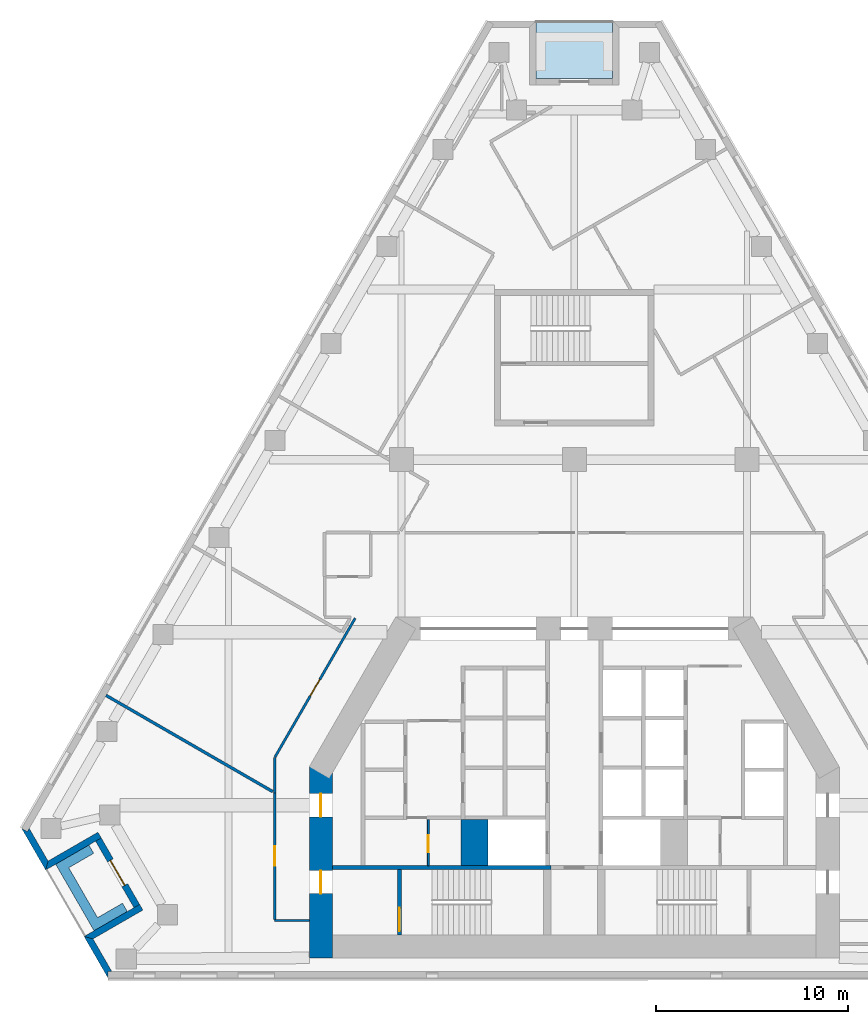
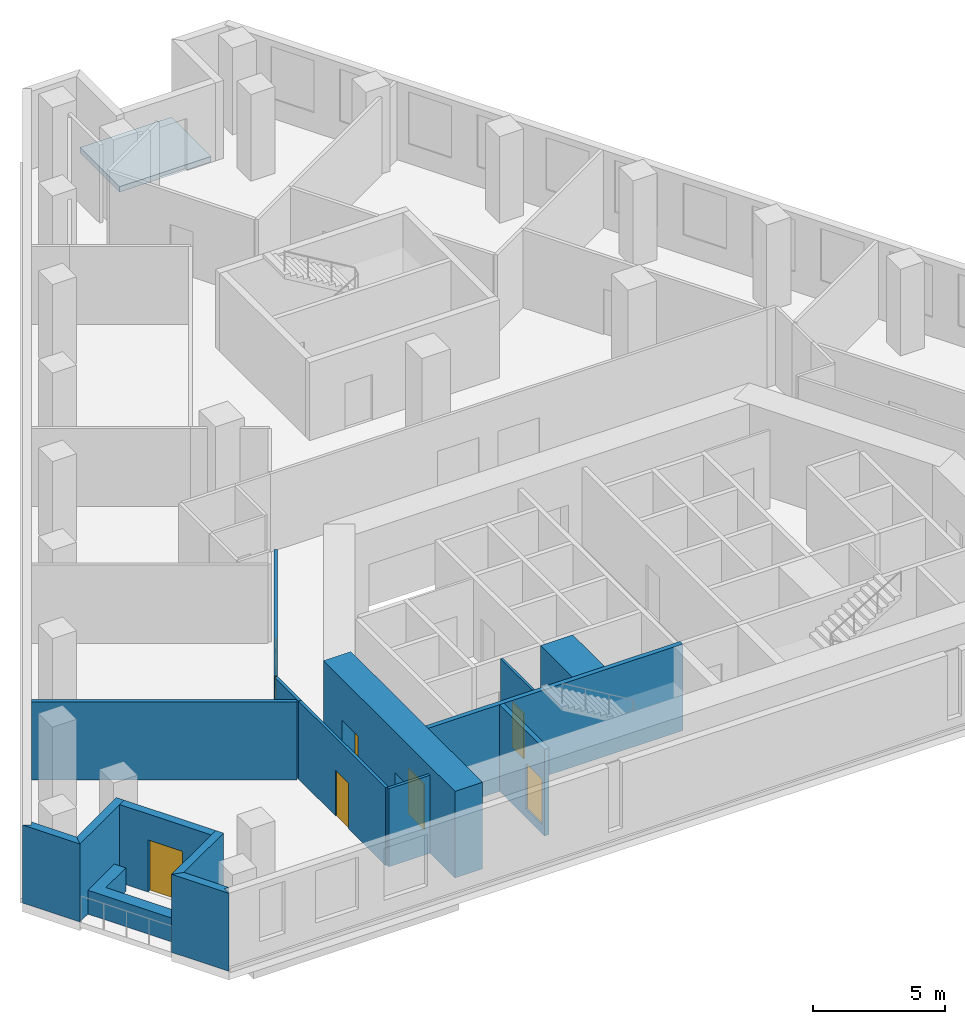
# One storey, part 2 of 8: 16 walls, 7 doors, 1 slab, 7 openings.
"""IFC4 building model written with IfcOpenShell, lengths in metres."""

from ifc_helpers import new_model, si_unit, direction, frame, frame_2d, origin, place, context, subcontext, project, spatial, polyline, rectangle, outline, extrude, material, layer, layer_set, type_object, element, fill, save


model = new_model("IFC4")

# Units and contexts
model_context = context("Model", 3, precision=1e-05, world=origin(), true_north=direction((0.0, 1.0)))
body_context = subcontext(model_context, "Body", "Model", "MODEL_VIEW")
ifc_project = project(units=[si_unit("LENGTHUNIT", "METRE"), si_unit("AREAUNIT", "SQUARE_METRE"), si_unit("VOLUMEUNIT", "CUBIC_METRE"), si_unit("PLANEANGLEUNIT", "RADIAN"), si_unit("MASSUNIT", "GRAM", prefix="KILO")], contexts=[model_context])

# Site, building, storey
site_placement = place(None, origin())
site = spatial("IfcSite", under=ifc_project, at=site_placement, CompositionType="ELEMENT")
building_placement = place(site_placement, origin())
building = spatial("IfcBuilding", under=site, at=building_placement, Name="Fogline Exchange Tower", CompositionType="ELEMENT")
storey_placement = place(building_placement, frame((0.0, 0.0, 158.89990234375)))
storey = spatial("IfcBuildingStorey", under=building, at=storey_placement, Name="L35", CompositionType="ELEMENT", Elevation=158.89990234375)

# Slab
ifc_material_1 = material(Name="Concrete C40", Category="concrete")
ifc_layer_1 = layer(ifc_material_1, 0.25)
ifc_layer_set_1 = layer_set([ifc_layer_1], Name="DK1")
slab_type = type_object("IfcSlabType", Name="DK1", PredefinedType="FLOOR", material=ifc_layer_set_1)
slab_placement = place(storey_placement, frame((0.0, 0.0, -0.25)))
element("IfcSlab", 1, at=slab_placement, inside=storey, type_object=slab_type, Name="Balcony L35 N", PredefinedType="FLOOR", context=body_context, shape_type="SweptSolid", body=[
    extrude(outline(polyline([(2.0, 49.841796875), (-2.0, 49.841796875), (-2.0, 46.841796875), (2.0, 46.841796875), (2.0, 49.841796875)])), origin(), (0.0, 0.0, 1.0), 0.25),
])

# Wall, opening, door
ifc_material_2 = material(Name="Blockwork partition", Category="masonry")
ifc_layer_2 = layer(ifc_material_2, 0.10009765625)
ifc_layer_set_2 = layer_set([ifc_layer_2], Name="CW10")
wall_type_1 = type_object("IfcWallType", Name="CW10", PredefinedType="PARTITIONING", material=ifc_layer_set_2)
wall_1_placement = place(storey_placement, frame((-7.60009765625, 5.85009765625, 0.0), z_axis=(0.0, 0.0, 1.0), x_axis=(0.0, 1.0, 0.0)))
wall_1 = element("IfcWall", 2, at=wall_1_placement, inside=storey, type_object=wall_type_1, Name="WC partition", PredefinedType="PARTITIONING", context=body_context, shape_type="SweptSolid", body=[
    extrude(rectangle(XDim=2.39990234375, YDim=0.10009765625, at=frame_2d((1.199951171875, 0.0))), origin(), (0.0, 0.0, 1.0), 3.60009765625),
])
opening_1_placement = place(wall_1_placement, frame((0.699951171875, 0.0, 0.0)))
opening_1 = element("IfcOpeningElement", 3, at=opening_1_placement, cuts=wall_1, Name="Opening T11-C013", PredefinedType="OPENING", context=body_context, shape_type="SweptSolid", body=[
    extrude(rectangle(XDim=0.89990234375, YDim=2.10009765625, at=frame_2d((0.449951171875, 1.050048828125))), frame((0.0, 0.06005859375, 0.0), z_axis=(0.0, -1.0, 0.0), x_axis=(1.0, 0.0, 0.0)), (0.0, 0.0, 1.0), 0.1201171875),
])
ifc_material_3 = material(Name="Steel and timber fire door", Category="steel")
door_type_1 = type_object("IfcDoorType", Name="D-CS1", OperationType="SINGLE_SWING_RIGHT", PredefinedType="DOOR", material=ifc_material_3)
door_1_placement = place(opening_1_placement, frame((0.89990234375, 0.0, 0.0), z_axis=(0.0, 0.0, 1.0), x_axis=(-1.0, 0.0, 0.0)))
door_1 = element("IfcDoor", 4, at=door_1_placement, inside=storey, type_object=door_type_1, Name="Door to Cleaner's Store", OperationType="SINGLE_SWING_RIGHT", OverallHeight=2.10009765625, OverallWidth=0.89990234375, PredefinedType="DOOR", context=body_context, shape_type="SweptSolid", body=[
    extrude(rectangle(XDim=0.89990234375, YDim=2.10009765625, at=frame_2d((0.449951171875, 1.050048828125))), frame((0.0, 0.02490234375, 0.0), z_axis=(0.0, -1.0, 0.0), x_axis=(1.0, 0.0, 0.0)), (0.0, 0.0, 1.0), 0.050048828125),
])
fill(opening_1, door_1)

# Walls
ifc_material_4 = material(Name="Concrete C60", Category="concrete")
ifc_layer_3 = layer(ifc_material_4, 1.39990234375)
ifc_layer_set_3 = layer_set([ifc_layer_3], Name="CW140")
wall_type_2 = type_object("IfcWallType", Name="CW140", PredefinedType="SOLIDWALL", material=ifc_layer_set_3)
wall_2_placement = place(storey_placement, frame((-5.199951171875, 5.85009765625, -0.39990234375), z_axis=(0.0, 0.0, 1.0), x_axis=(0.0, 1.0, 0.0)))
element("IfcWall", 5, at=wall_2_placement, inside=storey, type_object=wall_type_2, Name="Lift shaft block wall", PredefinedType="SOLIDWALL", context=body_context, shape_type="SweptSolid", body=[
    extrude(rectangle(XDim=2.39990234375, YDim=1.39990234375, at=frame_2d((1.199951171875, 0.0))), origin(), (0.0, 0.0, 1.0), 4.0),
])
ifc_layer_4 = layer(ifc_material_1, 0.199951171875)
ifc_layer_set_4 = layer_set([ifc_layer_4], Name="CW20R")
wall_type_3 = type_object("IfcWallType", Name="CW20R", PredefinedType="SOLIDWALL", material=ifc_layer_set_4)
wall_3_placement = place(storey_placement, frame((-12.60009765625, 5.75, -0.39990234375), z_axis=(0.0, 0.0, 1.0), x_axis=(1.0, 0.0, 0.0)))
element("IfcWall", 6, at=wall_3_placement, inside=storey, type_object=wall_type_3, Name="Stair enclosure wall", PredefinedType="SOLIDWALL", context=body_context, shape_type="SweptSolid", body=[
    extrude(rectangle(XDim=11.400146484375, YDim=0.199951171875, at=frame_2d((5.7001953125, 0.0))), origin(), (0.0, 0.0, 1.0), 4.0),
])

# Wall, opening, door
wall_4_placement = place(storey_placement, frame((-9.10009765625, 2.25, -0.39990234375), z_axis=(0.0, 0.0, 1.0), x_axis=(0.0, 1.0, 0.0)))
wall_4 = element("IfcWall", 7, at=wall_4_placement, inside=storey, type_object=wall_type_3, Name="Stair enclosure wall", PredefinedType="SOLIDWALL", context=body_context, shape_type="SweptSolid", body=[
    extrude(rectangle(XDim=3.39990234375, YDim=0.199951171875, at=frame_2d((1.699951171875, 0.0))), origin(), (0.0, 0.0, 1.0), 4.0),
])
opening_2_placement = place(wall_4_placement, frame((0.199951171875, 0.0, 0.39990234375)))
opening_2 = element("IfcOpeningElement", 8, at=opening_2_placement, cuts=wall_4, Name="Opening T11-C015", PredefinedType="OPENING", context=body_context, shape_type="SweptSolid", body=[
    extrude(rectangle(XDim=1.199951171875, YDim=2.10009765625, at=frame_2d((0.60009765625, 1.050048828125))), frame((0.0, 0.10986328125, 0.0), z_axis=(0.0, -1.0, 0.0), x_axis=(1.0, 0.0, 0.0)), (0.0, 0.0, 1.0), 0.219970703125),
])
door_type_2 = type_object("IfcDoorType", Name="D-ST1", OperationType="SINGLE_SWING_LEFT", PredefinedType="DOOR", material=ifc_material_3)
door_2_placement = place(opening_2_placement, frame((1.199951171875, 0.0, 0.0), z_axis=(0.0, 0.0, 1.0), x_axis=(-1.0, 0.0, 0.0)))
door_2 = element("IfcDoor", 9, at=door_2_placement, inside=storey, type_object=door_type_2, Name="Stair door ST1", OperationType="SINGLE_SWING_RIGHT", OverallHeight=2.10009765625, OverallWidth=1.199951171875, PredefinedType="DOOR", context=body_context, shape_type="SweptSolid", body=[
    extrude(rectangle(XDim=1.199951171875, YDim=2.10009765625, at=frame_2d((0.60009765625, 1.050048828125))), frame((0.0, 0.02490234375, 0.0), z_axis=(0.0, -1.0, 0.0), x_axis=(1.0, 0.0, 0.0)), (0.0, 0.0, 1.0), 0.050048828125),
])
fill(opening_2, door_2)

# Walls
ifc_material_5 = material(Name="Brick masonry", Category="masonry")
ifc_layer_5 = layer(ifc_material_5, 0.340087890625)
ifc_layer_set_5 = layer_set([ifc_layer_5], Name="FW1")
wall_type_4 = type_object("IfcWallType", Name="FW1", PredefinedType="SOLIDWALL", material=ifc_layer_set_5)
wall_5_placement = place(storey_placement, origin())
element("IfcWall", 10, at=wall_5_placement, inside=storey, type_object=wall_type_4, Name="Brick wall L35 SW-c1", PredefinedType="SOLIDWALL", context=body_context, shape_type="SweptSolid", body=[
    extrude(outline(polyline([(-27.526123046875, 5.6279296875), (-28.777099609375, 7.794921875), (-28.776611328125, 7.79541015625), (-28.48193359375, 7.625), (-28.383544921875, 7.79541015625), (-27.40087890625, 6.09375), (-27.52587890625, 5.6279296875), (-27.526123046875, 5.6279296875)])), origin(), (0.0, 0.0, 1.0), 3.60009765625),
])
wall_6_placement = place(storey_placement, origin())
element("IfcWall", 11, at=wall_6_placement, inside=storey, type_object=wall_type_4, Name="Brick wall L35 SW-s1", PredefinedType="SOLIDWALL", context=body_context, shape_type="SweptSolid", body=[
    extrude(outline(polyline([(-24.803466796875, 7.594482421875), (-24.6328125, 7.298828125), (-24.927734375, 7.128662109375), (-27.526611328125, 5.628173828125), (-27.52685546875, 5.62841796875), (-27.402099609375, 6.093994140625), (-24.803466796875, 7.594482421875)])), origin(), (0.0, 0.0, 1.0), 3.60009765625),
])

# Wall, opening, door
wall_7_placement = place(storey_placement, frame((-24.78076171875, 7.214111328125, 0.0), z_axis=(0.0, 0.0, 1.0), x_axis=(0.49999894854, -0.866026010844, 0.0)))
wall_7 = element("IfcWall", 12, at=wall_7_placement, inside=storey, type_object=wall_type_4, Name="Brick wall L35 SW-bk", PredefinedType="SOLIDWALL", context=body_context, shape_type="SweptSolid", body=[
    extrude(rectangle(XDim=4.0, YDim=0.340087890625, at=frame_2d((2.0, 0.0))), origin(), (0.0, 0.0, 1.0), 3.60009765625),
])
opening_3_placement = place(wall_7_placement, frame((1.25, 0.0, 0.0)))
opening_3 = element("IfcOpeningElement", 13, at=opening_3_placement, cuts=wall_7, Name="Opening T11-E021", PredefinedType="OPENING", context=body_context, shape_type="SweptSolid", body=[
    extrude(rectangle(XDim=1.5, YDim=2.39990234375, at=frame_2d((0.75, 1.199951171875))), frame((0.0, 0.18017578125, 0.0), z_axis=(0.0, -1.0, 0.0), x_axis=(1.0, 0.0, 0.0)), (0.0, 0.0, 1.0), 0.360107421875),
])
ifc_material_6 = material(Name="Aluminium and glass", Category="aluminium")
door_type_3 = type_object("IfcDoorType", Name="ED4", OperationType="SINGLE_SWING_LEFT", PredefinedType="DOOR", material=ifc_material_6)
door_3_placement = place(opening_3_placement, frame((1.5, 0.0, 0.0), z_axis=(0.0, 0.0, 1.0), x_axis=(-1.0, 0.0, 0.0)))
door_3 = element("IfcDoor", 14, at=door_3_placement, inside=storey, type_object=door_type_3, Name="Balcony door L35 SW", OperationType="DOUBLE_DOOR_SINGLE_SWING", OverallHeight=2.39990234375, OverallWidth=1.5, PredefinedType="DOOR", context=body_context, shape_type="SweptSolid", body=[
    extrude(rectangle(XDim=1.5, YDim=2.39990234375, at=frame_2d((0.75, 1.199951171875))), frame((0.0, 0.02490234375, 0.0), z_axis=(0.0, -1.0, 0.0), x_axis=(1.0, 0.0, 0.0)), (0.0, 0.0, 1.0), 0.050048828125),
])
fill(opening_3, door_3)

# Walls
wall_8_placement = place(storey_placement, origin())
element("IfcWall", 15, at=wall_8_placement, inside=storey, type_object=wall_type_4, Name="Brick wall L35 SW-s2", PredefinedType="SOLIDWALL", context=body_context, shape_type="SweptSolid", body=[
    extrude(outline(polyline([(-25.52734375, 2.1650390625), (-22.92822265625, 3.66552734375), (-22.63330078125, 3.8359375), (-22.462646484375, 3.540283203125), (-25.0615234375, 2.0400390625), (-25.52734375, 2.164794921875), (-25.52734375, 2.1650390625)])), origin(), (0.0, 0.0, 1.0), 3.60009765625),
])
wall_9_placement = place(storey_placement, origin())
element("IfcWall", 16, at=wall_9_placement, inside=storey, type_object=wall_type_4, Name="Brick wall L35 SW-c2", PredefinedType="SOLIDWALL", context=body_context, shape_type="SweptSolid", body=[
    extrude(outline(polyline([(-24.078857421875, 0.33935546875), (-24.275390625, 0.33935546875), (-24.275390625, -0.0009765625), (-24.276123046875, -0.001220703125), (-25.527099609375, 2.165771484375), (-25.52685546875, 2.166015625), (-25.061279296875, 2.041015625), (-24.078857421875, 0.33935546875)])), origin(), (0.0, 0.0, 1.0), 3.60009765625),
])
ifc_material_7 = material(Name="Concrete C30", Category="concrete")
ifc_layer_6 = layer(ifc_material_7, 0.199951171875)
ifc_layer_set_6 = layer_set([ifc_layer_6], Name="PL1")
wall_type_5 = type_object("IfcWallType", Name="PL1", PredefinedType="USERDEFINED", material=ifc_layer_set_6)
wall_10_placement = place(storey_placement, origin())
element("IfcWall", 17, at=wall_10_placement, inside=storey, type_object=wall_type_5, Name="PLANTER balcony L35 SW", ObjectType="PLANTER", PredefinedType="USERDEFINED", context=body_context, shape_type="SweptSolid", body=[
    extrude(outline(polyline([(-23.5244140625, 3.898193359375), (-24.823486328125, 3.148193359375), (-26.323486328125, 5.74609375), (-25.0244140625, 6.49609375), (-25.2744140625, 6.92919921875), (-27.006591796875, 5.92919921875), (-25.006591796875, 2.465087890625), (-24.573486328125, 2.715087890625), (-24.573486328125, 2.715087890625), (-23.2744140625, 3.465087890625), (-23.5244140625, 3.898193359375)])), origin(), (0.0, 0.0, 1.0), 1.10009765625),
])
ifc_material_8 = material(Name="Plasterboard corridor partition with mineral wool, 2 layers each side")
ifc_layer_7 = layer(ifc_material_8, 0.125)
ifc_layer_set_7 = layer_set([ifc_layer_7], Name="PW2")
wall_type_6 = type_object("IfcWallType", Name="PW2", PredefinedType="PARTITIONING", material=ifc_layer_set_7)
wall_11_placement = place(storey_placement, frame((-15.60009765625, 9.650390625, 0.0), z_axis=(0.0, 0.0, 1.0), x_axis=(0.0, 1.0, 0.0)))
element("IfcWall", 18, at=wall_11_placement, inside=storey, type_object=wall_type_6, Name="wall-L35-W015", PredefinedType="PARTITIONING", context=body_context, shape_type="SweptSolid", body=[
    extrude(rectangle(XDim=1.830810546875, YDim=0.125, at=frame_2d((0.91552734375, 0.0))), origin(), (0.0, 0.0, 1.0), 3.60009765625),
])

# Wall, opening, door
wall_12_placement = place(storey_placement, frame((-15.58447265625, 11.508056640625, 0.0), z_axis=(0.0, 0.0, 1.0), x_axis=(0.499989116703, 0.866031687168, 0.0)))
wall_12 = element("IfcWall", 19, at=wall_12_placement, inside=storey, type_object=wall_type_6, Name="wall-L35-W016", PredefinedType="PARTITIONING", context=body_context, shape_type="SweptSolid", body=[
    extrude(rectangle(XDim=8.347900390625, YDim=0.125, at=frame_2d((4.173828125, 0.0))), origin(), (0.0, 0.0, 1.0), 3.60009765625),
])
opening_4_placement = place(wall_12_placement, frame((3.673828125, 0.0, 0.0)))
opening_4 = element("IfcOpeningElement", 20, at=opening_4_placement, cuts=wall_12, Name="Opening T11-D005", PredefinedType="OPENING", context=body_context, shape_type="SweptSolid", body=[
    extrude(rectangle(XDim=1.0, YDim=2.10009765625, at=frame_2d((0.5, 1.050048828125))), frame((0.0, 0.072509765625, 0.0), z_axis=(0.0, -1.0, 0.0), x_axis=(1.0, 0.0, 0.0)), (0.0, 0.0, 1.0), 0.14501953125),
])
ifc_material_9 = material(Name="Fire-rated timber door leaf with steel frame", Category="steel")
door_type_4 = type_object("IfcDoorType", Name="D3", OperationType="SINGLE_SWING_LEFT", PredefinedType="DOOR", material=ifc_material_9)
door_4_placement = place(opening_4_placement, origin())
door_4 = element("IfcDoor", 21, at=door_4_placement, inside=storey, type_object=door_type_4, Name="door-L35-D005", OperationType="SINGLE_SWING_LEFT", OverallHeight=2.10009765625, OverallWidth=1.0, PredefinedType="DOOR", context=body_context, shape_type="SweptSolid", body=[
    extrude(rectangle(XDim=1.0, YDim=2.10009765625, at=frame_2d((0.5, 1.050048828125))), frame((0.0, 0.02490234375, 0.0), z_axis=(0.0, -1.0, 0.0), x_axis=(1.0, 0.0, 0.0)), (0.0, 0.0, 1.0), 0.050048828125),
])
fill(opening_4, door_4)

# Wall
wall_13_placement = place(storey_placement, frame((-13.800048828125, 3.0, 0.0), z_axis=(0.0, 0.0, 1.0), x_axis=(-1.0, 0.0, 0.0)))
element("IfcWall", 22, at=wall_13_placement, inside=storey, type_object=wall_type_6, Name="wall-L35-W017", PredefinedType="PARTITIONING", context=body_context, shape_type="SweptSolid", body=[
    extrude(rectangle(XDim=1.800048828125, YDim=0.125, at=frame_2d((0.89990234375, 0.0))), origin(), (0.0, 0.0, 1.0), 3.60009765625),
])

# Wall, opening, door
wall_14_placement = place(storey_placement, frame((-15.60009765625, 3.0625, 0.0), z_axis=(0.0, 0.0, 1.0), x_axis=(0.0, 1.0, 0.0)))
wall_14 = element("IfcWall", 23, at=wall_14_placement, inside=storey, type_object=wall_type_6, Name="wall-L35-W018", PredefinedType="PARTITIONING", context=body_context, shape_type="SweptSolid", body=[
    extrude(rectangle(XDim=6.587890625, YDim=0.125, at=frame_2d((3.2939453125, 0.0))), origin(), (0.0, 0.0, 1.0), 3.60009765625),
])
opening_5_placement = place(wall_14_placement, frame((2.7939453125, 0.0, 0.0)))
opening_5 = element("IfcOpeningElement", 24, at=opening_5_placement, cuts=wall_14, Name="Opening T11-D006", PredefinedType="OPENING", context=body_context, shape_type="SweptSolid", body=[
    extrude(rectangle(XDim=1.0, YDim=2.10009765625, at=frame_2d((0.5, 1.050048828125))), frame((0.0, 0.072509765625, 0.0), z_axis=(0.0, -1.0, 0.0), x_axis=(1.0, 0.0, 0.0)), (0.0, 0.0, 1.0), 0.14501953125),
])
door_5_placement = place(opening_5_placement, origin())
door_5 = element("IfcDoor", 25, at=door_5_placement, inside=storey, type_object=door_type_4, Name="door-L35-D006", OperationType="SINGLE_SWING_LEFT", OverallHeight=2.10009765625, OverallWidth=1.0, PredefinedType="DOOR", context=body_context, shape_type="SweptSolid", body=[
    extrude(rectangle(XDim=1.0, YDim=2.10009765625, at=frame_2d((0.5, 1.050048828125))), frame((0.0, 0.02490234375, 0.0), z_axis=(0.0, -1.0, 0.0), x_axis=(1.0, 0.0, 0.0)), (0.0, 0.0, 1.0), 0.050048828125),
])
fill(opening_5, door_5)

# Wall
ifc_material_10 = material(Name="Plasterboard demising partition with mineral wool and acoustic board")
ifc_layer_8 = layer(ifc_material_10, 0.14990234375)
ifc_layer_set_8 = layer_set([ifc_layer_8], Name="PW3")
wall_type_7 = type_object("IfcWallType", Name="PW3", PredefinedType="PARTITIONING", material=ifc_layer_set_8)
wall_15_placement = place(storey_placement, frame((-15.700439453125, 9.70849609375, 0.0), z_axis=(0.0, 0.0, 1.0), x_axis=(-0.866031909344, 0.499988731871, 0.0)))
element("IfcWall", 26, at=wall_15_placement, inside=storey, type_object=wall_type_7, Name="wall-L35-W049", PredefinedType="PARTITIONING", context=body_context, shape_type="SweptSolid", body=[
    extrude(rectangle(XDim=10.026611328125, YDim=0.14990234375, at=frame_2d((5.01318359375, 0.0))), origin(), (0.0, 0.0, 1.0), 3.60009765625),
])

# Wall, openings, doors
ifc_layer_9 = layer(ifc_material_4, 1.199951171875)
ifc_layer_set_9 = layer_set([ifc_layer_9], Name="SW02")
wall_type_8 = type_object("IfcWallType", Name="SW02", PredefinedType="SHEAR", material=ifc_layer_set_9)
wall_16_placement = place(storey_placement, frame((-13.199951171875, 10.9990234375, 0.0), z_axis=(0.0, 0.0, 1.0), x_axis=(0.0, -1.0, 0.0)))
wall_16 = element("IfcWall", 27, at=wall_16_placement, inside=storey, type_object=wall_type_8, Name="L35-W906", PredefinedType="SHEAR", context=body_context, shape_type="SweptSolid", body=[
    extrude(rectangle(XDim=9.948974609375, YDim=1.199951171875, at=frame_2d((4.974609375, 0.0))), origin(), (0.0, 0.0, 1.0), 4.0),
])
opening_6_placement = place(wall_16_placement, frame((5.39892578125, 0.0, 0.0)))
opening_6 = element("IfcOpeningElement", 28, at=opening_6_placement, cuts=wall_16, Name="Opening T11-C014", PredefinedType="OPENING", context=body_context, shape_type="SweptSolid", body=[
    extrude(rectangle(XDim=1.199951171875, YDim=2.10009765625, at=frame_2d((0.60009765625, 1.050048828125))), frame((0.0, 0.60986328125, 0.0), z_axis=(0.0, -1.0, 0.0), x_axis=(1.0, 0.0, 0.0)), (0.0, 0.0, 1.0), 1.219970703125),
])
opening_7_placement = place(wall_16_placement, frame((1.39892578125, 0.0, 0.0)))
opening_7 = element("IfcOpeningElement", 29, at=opening_7_placement, cuts=wall_16, Name="Opening T11-C016", PredefinedType="OPENING", context=body_context, shape_type="SweptSolid", body=[
    extrude(rectangle(XDim=1.199951171875, YDim=2.10009765625, at=frame_2d((0.60009765625, 1.050048828125))), frame((0.0, 0.60986328125, 0.0), z_axis=(0.0, -1.0, 0.0), x_axis=(1.0, 0.0, 0.0)), (0.0, 0.0, 1.0), 1.219970703125),
])
door_type_5 = type_object("IfcDoorType", Name="D-FR1", OperationType="SINGLE_SWING_RIGHT", PredefinedType="DOOR", material=ifc_material_3)
door_6_placement = place(opening_6_placement, origin())
door_6 = element("IfcDoor", 30, at=door_6_placement, inside=storey, type_object=door_type_5, Name="Front room door ST1", OperationType="SINGLE_SWING_LEFT", OverallHeight=2.10009765625, OverallWidth=1.199951171875, PredefinedType="DOOR", context=body_context, shape_type="SweptSolid", body=[
    extrude(rectangle(XDim=1.199951171875, YDim=2.10009765625, at=frame_2d((0.60009765625, 1.050048828125))), frame((0.0, 0.02490234375, 0.0), z_axis=(0.0, -1.0, 0.0), x_axis=(1.0, 0.0, 0.0)), (0.0, 0.0, 1.0), 0.050048828125),
])
fill(opening_6, door_6)
door_type_6 = type_object("IfcDoorType", Name="D-SV1", OperationType="SINGLE_SWING_LEFT", PredefinedType="DOOR", material=ifc_material_3)
door_7_placement = place(opening_7_placement, origin())
door_7 = element("IfcDoor", 31, at=door_7_placement, inside=storey, type_object=door_type_6, Name="Service door W", OperationType="SINGLE_SWING_LEFT", OverallHeight=2.10009765625, OverallWidth=1.199951171875, PredefinedType="DOOR", context=body_context, shape_type="SweptSolid", body=[
    extrude(rectangle(XDim=1.199951171875, YDim=2.10009765625, at=frame_2d((0.60009765625, 1.050048828125))), frame((0.0, 0.02490234375, 0.0), z_axis=(0.0, -1.0, 0.0), x_axis=(1.0, 0.0, 0.0)), (0.0, 0.0, 1.0), 0.050048828125),
])
fill(opening_7, door_7)

save(model, "model.ifc")
